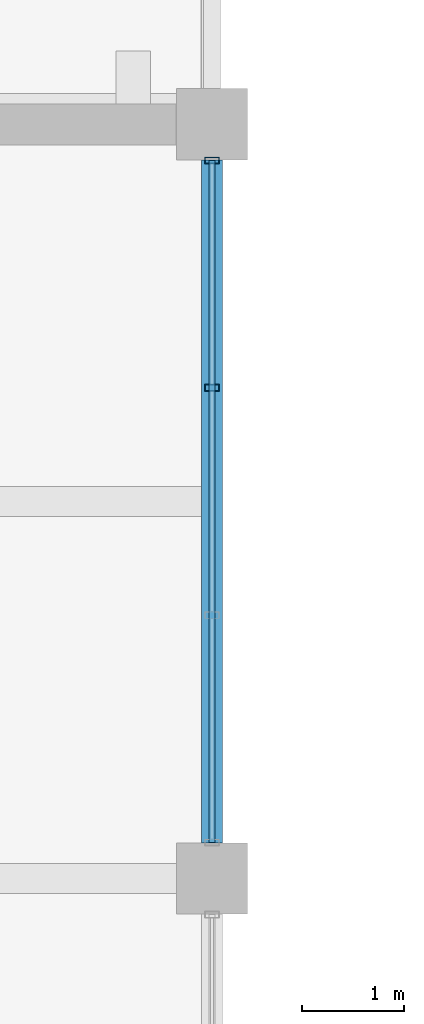
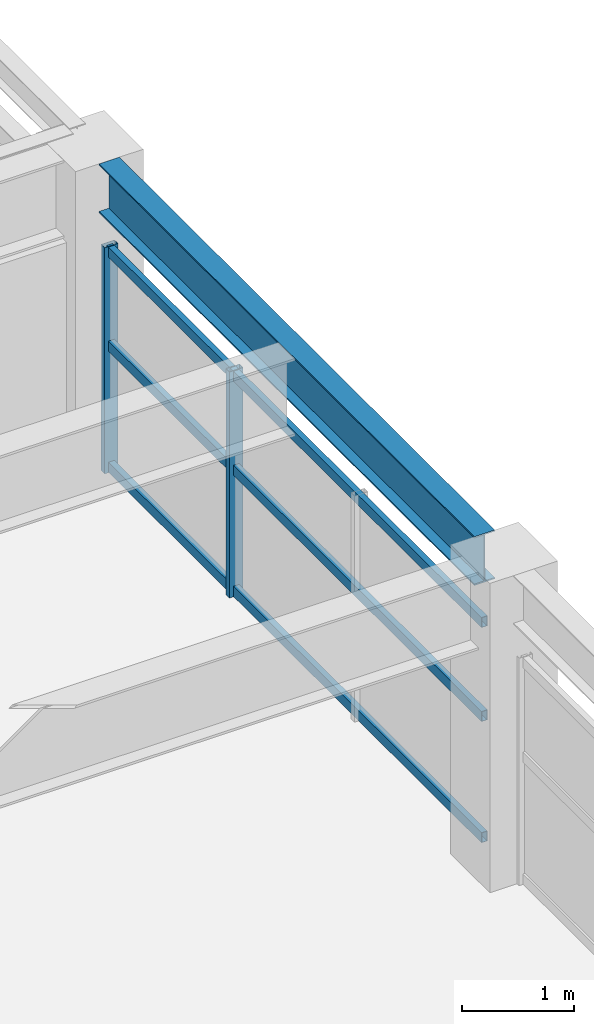
# One storey, part 71 of 121: 5 members, 1 beam, 1 element without a shape of its own.
"""IFC4 building model written with IfcOpenShell, lengths in metres."""

from ifc_helpers import new_model, si_unit, direction, frame, origin, origin_2d, place, context, subcontext, project, spatial, hollow_rectangle, i_section, extrude, material, material_profile, profile_set, type_object, element, aggregate, save


model = new_model("IFC4")

# Units and contexts
model_context = context("Model", 3, precision=1e-05, world=origin(), true_north=direction((0.0, 1.0)))
body_context = subcontext(model_context, "Body", "Model", "MODEL_VIEW")
ifc_project = project(units=[si_unit("LENGTHUNIT", "METRE"), si_unit("AREAUNIT", "SQUARE_METRE"), si_unit("VOLUMEUNIT", "CUBIC_METRE"), si_unit("PLANEANGLEUNIT", "RADIAN"), si_unit("MASSUNIT", "GRAM", prefix="KILO")], contexts=[model_context])

# Site, building, storey
site_placement = place(None, origin())
site = spatial("IfcSite", under=ifc_project, at=site_placement, CompositionType="ELEMENT")
building_placement = place(site_placement, origin())
building = spatial("IfcBuilding", under=site, at=building_placement, Name="Cimatlan Art Gallery", CompositionType="ELEMENT")
storey_placement = place(building_placement, frame((0.0, 0.0, 10.199951171875)))
storey = spatial("IfcBuildingStorey", under=building, at=storey_placement, Name="L02", CompositionType="ELEMENT", Elevation=10.199951171875)

# Beam
ifc_material_1 = material(Name="Steel ASTM A992 Grade 50", Category="steel")
ifc_material_profile_1 = material_profile(ifc_material_1, i_section(OverallWidth=0.2099609375, OverallDepth=0.532958984375, WebThickness=0.01025390625, FlangeThickness=0.015625, at=origin_2d()), Name="W21X62")
ifc_profile_set_1 = profile_set([ifc_material_profile_1], Name="Steel ASTM A992 Grade 50")
beam_type = type_object("IfcBeamType", Name="BM-STL-W21X62", PredefinedType="BEAM", material=ifc_profile_set_1)
beam_placement = place(storey_placement, frame((99.199951171875, 90.85009765625, 3.103515625), z_axis=(0.0, 1.0, 0.0), x_axis=(-1.0, 0.0, 0.0)))
element("IfcBeam", 1, at=beam_placement, inside=storey, type_object=beam_type, Name="BM-Y-L02-12-12", PredefinedType="BEAM", context=body_context, shape_type="SweptSolid", body=[
    extrude(i_section(OverallWidth=0.2099609375, OverallDepth=0.532958984375, WebThickness=0.01025390625, FlangeThickness=0.015625, at=origin_2d()), origin(), (0.0, 0.0, 1.0), 6.699951171875),
])

# Curtain wall, members
ifc_material_2 = material(Name="Anodised bronze unitised curtain wall")
curtain_wall_type = type_object("IfcCurtainWallType", Name="CW-V-06692X02464-B3", PredefinedType="NOTDEFINED", material=ifc_material_2)
curtain_wall_placement = place(storey_placement, origin())
curtain_wall = element("IfcCurtainWall", 2, at=curtain_wall_placement, inside=storey, type_object=curtain_wall_type, Name="CW-L02-11-12-E", PredefinedType="NOTDEFINED")
ifc_material_3 = material(Name="Anodised bronze aluminium 6063-T6", Category="aluminium")
ifc_material_profile_2 = material_profile(ifc_material_3, hollow_rectangle(XDim=0.06494140625, YDim=0.139892578125, WallThickness=0.00390625, at=origin_2d()), Name="ALU65X140X4")
ifc_profile_set_2 = profile_set([ifc_material_profile_2], Name="Anodised bronze aluminium 6063-T6")
member_type_1 = type_object("IfcMemberType", Name="CW-MUL-140", PredefinedType="MULLION", material=ifc_profile_set_2)
member_1_placement = place(storey_placement, frame((99.199951171875, 97.5458984375, 0.0), z_axis=(0.0, 0.0, 1.0), x_axis=(0.0, 1.0, 0.0)))
member_1 = element("IfcMember", 3, at=member_1_placement, type_object=member_type_1, Name="CW-L02-11-12-E-M1", PredefinedType="MULLION", context=body_context, shape_type="SweptSolid", body=[
    extrude(hollow_rectangle(XDim=0.06494140625, YDim=0.139892578125, WallThickness=0.00390625, at=origin_2d()), origin(), (0.0, 0.0, 1.0), 2.464111328125),
])
member_2_placement = place(storey_placement, frame((99.199951171875, 95.3154296875, 0.0), z_axis=(0.0, 0.0, 1.0), x_axis=(0.0, 1.0, 0.0)))
member_2 = element("IfcMember", 4, at=member_2_placement, type_object=member_type_1, Name="CW-L02-11-12-E-M2", PredefinedType="MULLION", context=body_context, shape_type="SweptSolid", body=[
    extrude(hollow_rectangle(XDim=0.06494140625, YDim=0.139892578125, WallThickness=0.00390625, at=origin_2d()), origin(), (0.0, 0.0, 1.0), 2.464111328125),
])
ifc_material_profile_3 = material_profile(ifc_material_3, hollow_rectangle(XDim=0.06005859375, YDim=0.110107421875, WallThickness=0.00341796875, at=origin_2d()), Name="ALU60X110X3")
ifc_profile_set_3 = profile_set([ifc_material_profile_3], Name="Anodised bronze aluminium 6063-T6")
member_type_2 = type_object("IfcMemberType", Name="CW-TRN-110", PredefinedType="USERDEFINED", material=ifc_profile_set_3)
member_3_placement = place(storey_placement, frame((99.199951171875, 97.5458984375, 0.06005859375), z_axis=(0.0, -1.0, 0.0), x_axis=(1.0, 0.0, 0.0)))
member_3 = element("IfcMember", 5, at=member_3_placement, type_object=member_type_2, Name="CW-L02-11-12-E-T1", ObjectType="TRANSOM", PredefinedType="USERDEFINED", context=body_context, shape_type="SweptSolid", body=[
    extrude(hollow_rectangle(XDim=0.06005859375, YDim=0.110107421875, WallThickness=0.00341796875, at=origin_2d()), origin(), (0.0, 0.0, 1.0), 6.69189453125),
])
member_4_placement = place(storey_placement, frame((99.199951171875, 97.5458984375, 1.3798828125), z_axis=(0.0, -1.0, 0.0), x_axis=(1.0, 0.0, 0.0)))
member_4 = element("IfcMember", 6, at=member_4_placement, type_object=member_type_2, Name="CW-L02-11-12-E-T2", ObjectType="TRANSOM", PredefinedType="USERDEFINED", context=body_context, shape_type="SweptSolid", body=[
    extrude(hollow_rectangle(XDim=0.06005859375, YDim=0.110107421875, WallThickness=0.00341796875, at=origin_2d()), origin(), (0.0, 0.0, 1.0), 6.69189453125),
])
member_5_placement = place(storey_placement, frame((99.199951171875, 97.5458984375, 2.404052734375), z_axis=(0.0, -1.0, 0.0), x_axis=(1.0, 0.0, 0.0)))
member_5 = element("IfcMember", 7, at=member_5_placement, type_object=member_type_2, Name="CW-L02-11-12-E-T3", ObjectType="TRANSOM", PredefinedType="USERDEFINED", context=body_context, shape_type="SweptSolid", body=[
    extrude(hollow_rectangle(XDim=0.06005859375, YDim=0.110107421875, WallThickness=0.00341796875, at=origin_2d()), origin(), (0.0, 0.0, 1.0), 6.69189453125),
])
aggregate(curtain_wall, [member_1, member_2, member_3, member_4, member_5])

save(model, "model.ifc")
